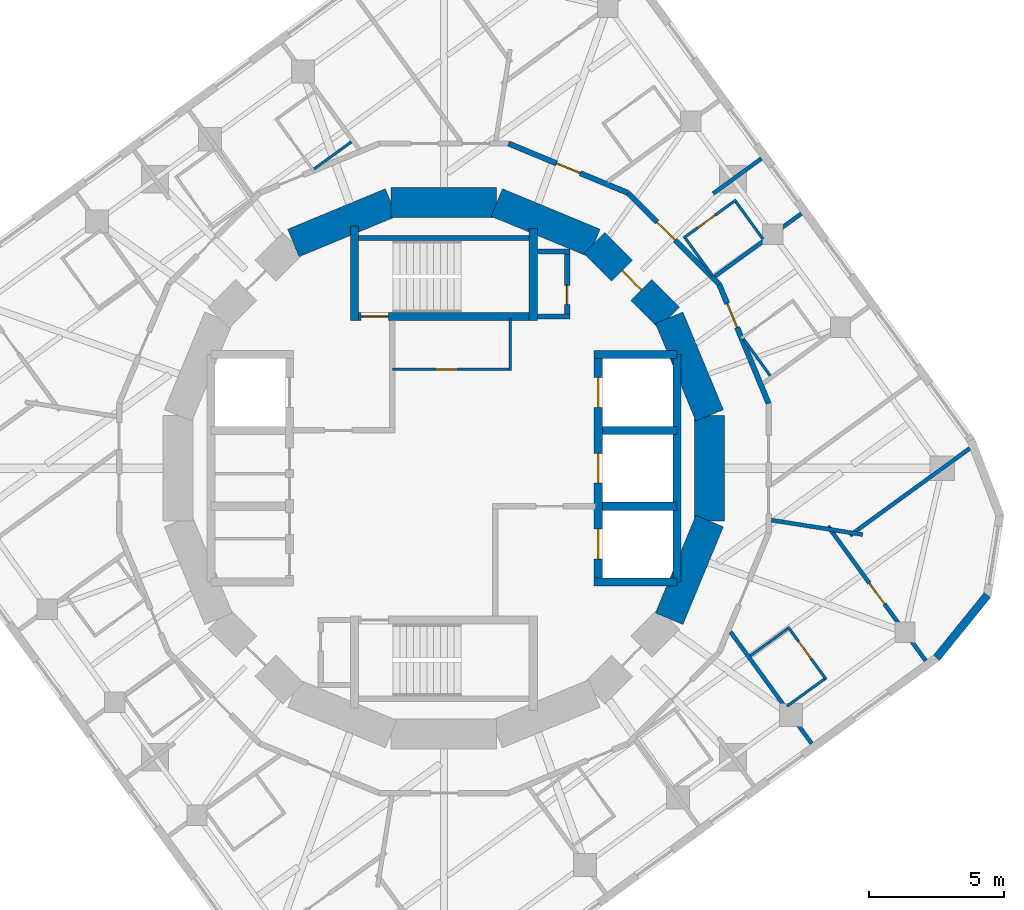
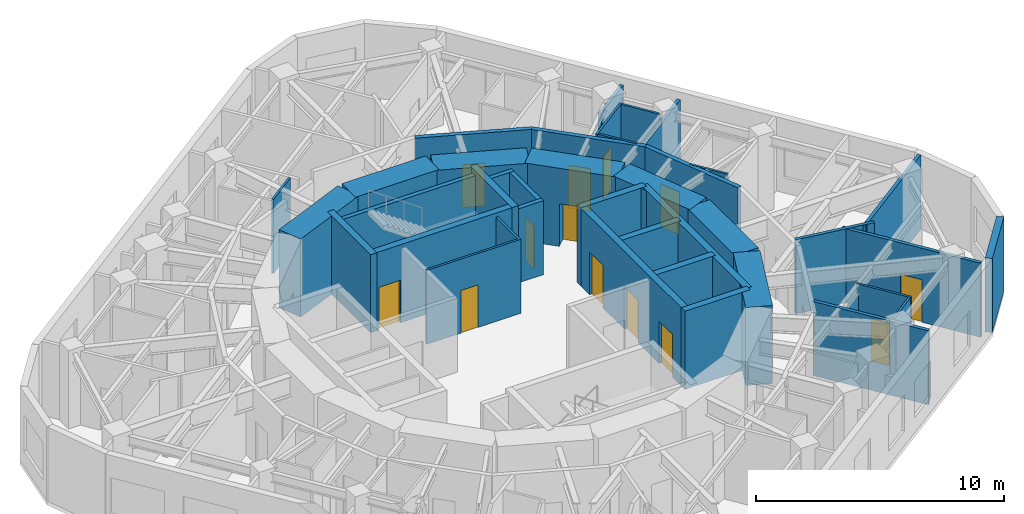
# One storey, part 6 of 9: 40 walls, 13 doors, 13 openings.
"""IFC4 building model written with IfcOpenShell, lengths in metres."""

from ifc_helpers import new_model, si_unit, direction, frame, frame_2d, origin, place, context, subcontext, project, spatial, rectangle, extrude, material, layer, layer_set, type_object, element, fill, save


model = new_model("IFC4")

# Units and contexts
model_context = context("Model", 3, precision=1e-05, world=origin(), true_north=direction((0.0, 1.0)))
body_context = subcontext(model_context, "Body", "Model", "MODEL_VIEW")
ifc_project = project(units=[si_unit("LENGTHUNIT", "METRE"), si_unit("AREAUNIT", "SQUARE_METRE"), si_unit("VOLUMEUNIT", "CUBIC_METRE"), si_unit("PLANEANGLEUNIT", "RADIAN"), si_unit("MASSUNIT", "GRAM", prefix="KILO")], contexts=[model_context])

# Site, building, storey
site_placement = place(None, origin())
site = spatial("IfcSite", under=ifc_project, at=site_placement, CompositionType="ELEMENT")
building_placement = place(site_placement, origin())
building = spatial("IfcBuilding", under=site, at=building_placement, Name="Nakasero Lantern House", CompositionType="ELEMENT")
storey_placement = place(building_placement, frame((0.0, 0.0, 279.14990234375)))
storey = spatial("IfcBuildingStorey", under=building, at=storey_placement, Name="L68", CompositionType="ELEMENT", Elevation=279.14990234375)

# Wall, openings, doors
ifc_material_1 = material(Name="Concrete C50/60", Category="concrete")
ifc_layer_1 = layer(ifc_material_1, 0.300048828125)
ifc_layer_set_1 = layer_set([ifc_layer_1], Name="Core inner wall 300")
wall_type_1 = type_object("IfcWallType", Name="Core inner wall 300", PredefinedType="SHEAR", material=ifc_layer_set_1)
wall_1_placement = place(storey_placement, frame((5.699951171875, -4.199951171875, 0.0), z_axis=(0.0, 0.0, 1.0), x_axis=(0.0, 1.0, 0.0)))
wall_1 = element("IfcWall", 1, at=wall_1_placement, inside=storey, type_object=wall_type_1, Name="Core inner wall L68 LE", PredefinedType="SHEAR", context=body_context, shape_type="SweptSolid", body=[
    extrude(rectangle(XDim=8.39990234375, YDim=0.300048828125, at=frame_2d((4.199951171875, 0.0))), origin(), (0.0, 0.0, 1.0), 3.85009765625),
])
opening_1_placement = place(wall_1_placement, frame((0.85009765625, 0.0, 0.0)))
opening_1 = element("IfcOpeningElement", 2, at=opening_1_placement, cuts=wall_1, Name="Opening LD", PredefinedType="OPENING", context=body_context, shape_type="SweptSolid", body=[
    extrude(rectangle(XDim=1.10009765625, YDim=2.10009765625, at=frame_2d((0.550048828125, 1.050048828125))), frame((0.0, 0.169921875, 0.0), z_axis=(0.0, -1.0, 0.0), x_axis=(1.0, 0.0, 0.0)), (0.0, 0.0, 1.0), 0.340087890625),
])
opening_2_placement = place(wall_1_placement, frame((3.64990234375, 0.0, 0.0)))
opening_2 = element("IfcOpeningElement", 3, at=opening_2_placement, cuts=wall_1, Name="Opening LD", PredefinedType="OPENING", context=body_context, shape_type="SweptSolid", body=[
    extrude(rectangle(XDim=1.10009765625, YDim=2.10009765625, at=frame_2d((0.550048828125, 1.050048828125))), frame((0.0, 0.169921875, 0.0), z_axis=(0.0, -1.0, 0.0), x_axis=(1.0, 0.0, 0.0)), (0.0, 0.0, 1.0), 0.340087890625),
])
opening_3_placement = place(wall_1_placement, frame((6.449951171875, 0.0, 0.0)))
opening_3 = element("IfcOpeningElement", 4, at=opening_3_placement, cuts=wall_1, Name="Opening LD", PredefinedType="OPENING", context=body_context, shape_type="SweptSolid", body=[
    extrude(rectangle(XDim=1.10009765625, YDim=2.10009765625, at=frame_2d((0.550048828125, 1.050048828125))), frame((0.0, 0.169921875, 0.0), z_axis=(0.0, -1.0, 0.0), x_axis=(1.0, 0.0, 0.0)), (0.0, 0.0, 1.0), 0.340087890625),
])
ifc_material_2 = material(Name="Steel S355", Category="steel")
door_type_1 = type_object("IfcDoorType", Name="Lift landing door E120 1100", OperationType="SLIDING_TO_LEFT", PredefinedType="DOOR", material=ifc_material_2)
door_1_placement = place(opening_1_placement, origin())
door_1 = element("IfcDoor", 5, at=door_1_placement, inside=storey, type_object=door_type_1, Name="Lift landing door LE1", OperationType="SLIDING_TO_LEFT", OverallHeight=2.10009765625, OverallWidth=1.10009765625, PredefinedType="DOOR", context=body_context, shape_type="SweptSolid", body=[
    extrude(rectangle(XDim=1.10009765625, YDim=2.10009765625, at=frame_2d((0.550048828125, 1.050048828125))), frame((0.0, 0.02490234375, 0.0), z_axis=(0.0, -1.0, 0.0), x_axis=(1.0, 0.0, 0.0)), (0.0, 0.0, 1.0), 0.050048828125),
])
fill(opening_1, door_1)
door_2_placement = place(opening_2_placement, origin())
door_2 = element("IfcDoor", 6, at=door_2_placement, inside=storey, type_object=door_type_1, Name="Lift landing door LE2", OperationType="SLIDING_TO_LEFT", OverallHeight=2.10009765625, OverallWidth=1.10009765625, PredefinedType="DOOR", context=body_context, shape_type="SweptSolid", body=[
    extrude(rectangle(XDim=1.10009765625, YDim=2.10009765625, at=frame_2d((0.550048828125, 1.050048828125))), frame((0.0, 0.02490234375, 0.0), z_axis=(0.0, -1.0, 0.0), x_axis=(1.0, 0.0, 0.0)), (0.0, 0.0, 1.0), 0.050048828125),
])
fill(opening_2, door_2)
door_3_placement = place(opening_3_placement, origin())
door_3 = element("IfcDoor", 7, at=door_3_placement, inside=storey, type_object=door_type_1, Name="Lift landing door LE3", OperationType="SLIDING_TO_LEFT", OverallHeight=2.10009765625, OverallWidth=1.10009765625, PredefinedType="DOOR", context=body_context, shape_type="SweptSolid", body=[
    extrude(rectangle(XDim=1.10009765625, YDim=2.10009765625, at=frame_2d((0.550048828125, 1.050048828125))), frame((0.0, 0.02490234375, 0.0), z_axis=(0.0, -1.0, 0.0), x_axis=(1.0, 0.0, 0.0)), (0.0, 0.0, 1.0), 0.050048828125),
])
fill(opening_3, door_3)

# Walls
for number, where, z_axis, x_axis, name in (
    (8, (5.550048828125, 4.199951171875, 0.0), (0.0, 0.0, 1.0), (1.0, 0.0, 0.0), "Core inner wall L68 LEN"),
    (9, (5.550048828125, -4.199951171875, 0.0), (0.0, 0.0, 1.0), (1.0, 0.0, 0.0), "Core inner wall L68 LES"),
):
    element("IfcWall", number, at=place(storey_placement, frame(where, z_axis=z_axis, x_axis=x_axis)), inside=storey, type_object=wall_type_1, Name=name, PredefinedType="SHEAR", context=body_context, shape_type="SweptSolid", body=[
        extrude(rectangle(XDim=3.050048828125, YDim=0.300048828125, at=frame_2d((1.52490234375, 0.0))), origin(), (0.0, 0.0, 1.0), 3.85009765625),
    ])
wall_2_placement = place(storey_placement, frame((8.60009765625, -4.199951171875, 0.0), z_axis=(0.0, 0.0, 1.0), x_axis=(0.0, 1.0, 0.0)))
element("IfcWall", 10, at=wall_2_placement, inside=storey, type_object=wall_type_1, Name="Core inner wall L68 LEB", PredefinedType="SHEAR", context=body_context, shape_type="SweptSolid", body=[
    extrude(rectangle(XDim=8.39990234375, YDim=0.300048828125, at=frame_2d((4.199951171875, 0.0))), origin(), (0.0, 0.0, 1.0), 3.85009765625),
])
for number, where, z_axis, x_axis, name in (
    (11, (5.85009765625, -1.39990234375, 0.0), (0.0, 0.0, 1.0), (1.0, 0.0, 0.0), "Core inner wall L68 LE1"),
    (12, (5.85009765625, 1.39990234375, 0.0), (0.0, 0.0, 1.0), (1.0, 0.0, 0.0), "Core inner wall L68 LE2"),
):
    element("IfcWall", number, at=place(storey_placement, frame(where, z_axis=z_axis, x_axis=x_axis)), inside=storey, type_object=wall_type_1, Name=name, PredefinedType="SHEAR", context=body_context, shape_type="SweptSolid", body=[
        extrude(rectangle(XDim=2.75, YDim=0.300048828125, at=frame_2d((1.375, 0.0))), origin(), (0.0, 0.0, 1.0), 3.85009765625),
    ])

# Wall, opening, door
wall_3_placement = place(storey_placement, frame((-3.449951171875, 5.60009765625, 0.0), z_axis=(0.0, 0.0, 1.0), x_axis=(1.0, 0.0, 0.0)))
wall_3 = element("IfcWall", 13, at=wall_3_placement, inside=storey, type_object=wall_type_1, Name="Core inner wall L68 SN", PredefinedType="SHEAR", context=body_context, shape_type="SweptSolid", body=[
    extrude(rectangle(XDim=6.89990234375, YDim=0.300048828125, at=frame_2d((3.449951171875, 0.0))), origin(), (0.0, 0.0, 1.0), 3.85009765625),
])
opening_4_placement = place(wall_3_placement, frame((0.39990234375, 0.0, 0.0)))
opening_4 = element("IfcOpeningElement", 14, at=opening_4_placement, cuts=wall_3, Name="Opening D05", PredefinedType="OPENING", context=body_context, shape_type="SweptSolid", body=[
    extrude(rectangle(XDim=1.0, YDim=2.10009765625, at=frame_2d((0.5, 1.050048828125))), frame((0.0, 0.169921875, 0.0), z_axis=(0.0, -1.0, 0.0), x_axis=(1.0, 0.0, 0.0)), (0.0, 0.0, 1.0), 0.340087890625),
])
ifc_material_3 = material(Name="Timber C24", Category="wood")
door_type_2 = type_object("IfcDoorType", Name="Core door FD60S 1000", OperationType="SINGLE_SWING_LEFT", PredefinedType="DOOR", material=ifc_material_3)
door_4_placement = place(opening_4_placement, origin())
door_4 = element("IfcDoor", 15, at=door_4_placement, inside=storey, type_object=door_type_2, Name="Door L68 D-ST1", OperationType="SINGLE_SWING_LEFT", OverallHeight=2.10009765625, OverallWidth=1.0, PredefinedType="DOOR", context=body_context, shape_type="SweptSolid", body=[
    extrude(rectangle(XDim=1.0, YDim=2.10009765625, at=frame_2d((0.5, 1.050048828125))), frame((0.0, 0.02490234375, 0.0), z_axis=(0.0, -1.0, 0.0), x_axis=(1.0, 0.0, 0.0)), (0.0, 0.0, 1.0), 0.050048828125),
])
fill(opening_4, door_4)

# Walls
wall_4_placement = place(storey_placement, frame((-3.300048828125, 5.449951171875, 0.0), z_axis=(0.0, 0.0, 1.0), x_axis=(0.0, 1.0, 0.0)))
element("IfcWall", 16, at=wall_4_placement, inside=storey, type_object=wall_type_1, Name="Core inner wall L68 SNW", PredefinedType="SHEAR", context=body_context, shape_type="SweptSolid", body=[
    extrude(rectangle(XDim=3.5, YDim=0.300048828125, at=frame_2d((1.75, 0.0))), origin(), (0.0, 0.0, 1.0), 3.85009765625),
])
wall_5_placement = place(storey_placement, frame((3.300048828125, 5.449951171875, 0.0), z_axis=(0.0, 0.0, 1.0), x_axis=(0.0, 1.0, 0.0)))
element("IfcWall", 17, at=wall_5_placement, inside=storey, type_object=wall_type_1, Name="Core inner wall L68 SNE", PredefinedType="SHEAR", context=body_context, shape_type="SweptSolid", body=[
    extrude(rectangle(XDim=3.400146484375, YDim=0.300048828125, at=frame_2d((1.7001953125, 0.0))), origin(), (0.0, 0.0, 1.0), 3.85009765625),
])

# Wall, opening, door
ifc_material_4 = material(Name="Blockwork", Category="masonry")
ifc_layer_2 = layer(ifc_material_4, 0.10009765625)
ifc_layer_set_2 = layer_set([ifc_layer_2], Name="Core room wall 100")
wall_type_2 = type_object("IfcWallType", Name="Core room wall 100", PredefinedType="PARTITIONING", material=ifc_layer_set_2)
wall_6_placement = place(storey_placement, frame((-1.89990234375, 3.64990234375, 0.0), z_axis=(0.0, 0.0, 1.0), x_axis=(1.0, 0.0, 0.0)))
wall_6 = element("IfcWall", 18, at=wall_6_placement, inside=storey, type_object=wall_type_2, Name="Core room wall L68 CR-NES", PredefinedType="PARTITIONING", context=body_context, shape_type="SweptSolid", body=[
    extrude(rectangle(XDim=4.39990234375, YDim=0.10009765625, at=frame_2d((2.199951171875, 0.0))), origin(), (0.0, 0.0, 1.0), 3.650146484375),
])
opening_5_placement = place(wall_6_placement, frame((1.60009765625, 0.0, 0.0)))
opening_5 = element("IfcOpeningElement", 19, at=opening_5_placement, cuts=wall_6, Name="Opening D15", PredefinedType="OPENING", context=body_context, shape_type="SweptSolid", body=[
    extrude(rectangle(XDim=0.800048828125, YDim=2.10009765625, at=frame_2d((0.39990234375, 1.050048828125))), frame((0.0, 0.070068359375, 0.0), z_axis=(0.0, -1.0, 0.0), x_axis=(1.0, 0.0, 0.0)), (0.0, 0.0, 1.0), 0.14013671875),
])
ifc_material_5 = material(Name="Timber C24", Category="wood")
door_type_3 = type_object("IfcDoorType", Name="Cleaner's store door FD30S 800", OperationType="SINGLE_SWING_LEFT", PredefinedType="DOOR", material=ifc_material_5)
door_5_placement = place(opening_5_placement, origin())
door_5 = element("IfcDoor", 20, at=door_5_placement, inside=storey, type_object=door_type_3, Name="Door L68 D-CR-NE", OperationType="SINGLE_SWING_LEFT", OverallHeight=2.10009765625, OverallWidth=0.800048828125, PredefinedType="DOOR", context=body_context, shape_type="SweptSolid", body=[
    extrude(rectangle(XDim=0.800048828125, YDim=2.10009765625, at=frame_2d((0.39990234375, 1.050048828125))), frame((0.0, 0.02490234375, 0.0), z_axis=(0.0, -1.0, 0.0), x_axis=(1.0, 0.0, 0.0)), (0.0, 0.0, 1.0), 0.050048828125),
])
fill(opening_5, door_5)

# Walls
wall_7_placement = place(storey_placement, frame((2.449951171875, 3.60009765625, 0.0), z_axis=(0.0, 0.0, 1.0), x_axis=(0.0, 1.0, 0.0)))
element("IfcWall", 21, at=wall_7_placement, inside=storey, type_object=wall_type_2, Name="Core room wall L68 CR-NEE", PredefinedType="PARTITIONING", context=body_context, shape_type="SweptSolid", body=[
    extrude(rectangle(XDim=1.949951171875, YDim=0.10009765625, at=frame_2d((0.97509765625, 0.0))), origin(), (0.0, 0.0, 1.0), 3.650146484375),
])
ifc_material_6 = material(Name="Concrete C50/60", Category="concrete")
ifc_layer_3 = layer(ifc_material_6, 1.10009765625)
ifc_layer_set_3 = layer_set([ifc_layer_3], Name="Core wall 1100")
wall_type_3 = type_object("IfcWallType", Name="Core wall 1100", PredefinedType="SHEAR", material=ifc_layer_set_3)
wall_8_placement = place(storey_placement, frame((9.807861328125, 1.950927734375, 0.0), z_axis=(0.0, 0.0, 1.0), x_axis=(-0.382690736062, 0.923876507187, 0.0)))
element("IfcWall", 22, at=wall_8_placement, inside=storey, type_object=wall_type_3, Name="Core wall L68 facet 1", PredefinedType="SHEAR", context=body_context, shape_type="SweptSolid", body=[
    extrude(rectangle(XDim=3.90185546875, YDim=1.10009765625, at=frame_2d((1.950927734375, 0.0))), origin(), (0.0, 0.0, 1.0), 3.85009765625),
])

# Wall, opening, door
wall_9_placement = place(storey_placement, frame((8.314697265625, 5.5556640625, 0.0), z_axis=(0.0, 0.0, 1.0), x_axis=(-0.707106781187, 0.707106781187, 0.0)))
wall_9 = element("IfcWall", 23, at=wall_9_placement, inside=storey, type_object=wall_type_3, Name="Core wall L68 facet 2", PredefinedType="SHEAR", context=body_context, shape_type="SweptSolid", body=[
    extrude(rectangle(XDim=3.90185546875, YDim=1.10009765625, at=frame_2d((1.950927734375, 0.0))), origin(), (0.0, 0.0, 1.0), 3.85009765625),
])
opening_6_placement = place(wall_9_placement, frame((1.450927734375, 0.0, 0.0)))
opening_6 = element("IfcOpeningElement", 24, at=opening_6_placement, cuts=wall_9, Name="Opening D05", PredefinedType="OPENING", context=body_context, shape_type="SweptSolid", body=[
    extrude(rectangle(XDim=1.0, YDim=2.10009765625, at=frame_2d((0.5, 1.050048828125))), frame((0.0, 0.570068359375, 0.0), z_axis=(0.0, -1.0, 0.0), x_axis=(1.0, 0.0, 0.0)), (0.0, 0.0, 1.0), 1.14013671875),
])
door_6_placement = place(opening_6_placement, origin())
door_6 = element("IfcDoor", 25, at=door_6_placement, inside=storey, type_object=door_type_2, Name="Door L68 D-CORE02", OperationType="SINGLE_SWING_LEFT", OverallHeight=2.10009765625, OverallWidth=1.0, PredefinedType="DOOR", context=body_context, shape_type="SweptSolid", body=[
    extrude(rectangle(XDim=1.0, YDim=2.10009765625, at=frame_2d((0.5, 1.050048828125))), frame((0.0, 0.02490234375, 0.0), z_axis=(0.0, -1.0, 0.0), x_axis=(1.0, 0.0, 0.0)), (0.0, 0.0, 1.0), 0.050048828125),
])
fill(opening_6, door_6)

# Walls
for number, where, z_axis, x_axis, name in (
    (26, (5.5556640625, 8.314697265625, 0.0), (0.0, 0.0, 1.0), (-0.923876507187, 0.382690736062, 0.0), "Core wall L68 facet 3"),
    (27, (1.950927734375, 9.807861328125, 0.0), (0.0, 0.0, 1.0), (-1.0, 0.0, 0.0), "Core wall L68 facet 4"),
    (28, (-1.950927734375, 9.807861328125, 0.0), (0.0, 0.0, 1.0), (-0.923876507187, -0.382690736062, 0.0), "Core wall L68 facet 5"),
    (29, (8.314697265625, -5.5556640625, 0.0), (0.0, 0.0, 1.0), (0.382690736062, 0.923876507187, 0.0), "Core wall L68 facet 15"),
    (30, (9.807861328125, -1.950927734375, 0.0), (0.0, 0.0, 1.0), (0.0, 1.0, 0.0), "Core wall L68 facet 16"),
):
    element("IfcWall", number, at=place(storey_placement, frame(where, z_axis=z_axis, x_axis=x_axis)), inside=storey, type_object=wall_type_3, Name=name, PredefinedType="SHEAR", context=body_context, shape_type="SweptSolid", body=[
        extrude(rectangle(XDim=3.90185546875, YDim=1.10009765625, at=frame_2d((1.950927734375, 0.0))), origin(), (0.0, 0.0, 1.0), 3.85009765625),
    ])

# Wall, opening, door
ifc_material_7 = material(Name="Blockwork", Category="masonry")
ifc_layer_4 = layer(ifc_material_7, 0.199951171875)
ifc_layer_set_4 = layer_set([ifc_layer_4], Name="Corridor wall 200")
wall_type_4 = type_object("IfcWallType", Name="Corridor wall 200", PredefinedType="PARTITIONING", material=ifc_layer_set_4)
wall_10_placement = place(storey_placement, frame((2.384521484375, 11.98779296875, 0.0), z_axis=(0.0, 0.0, 1.0), x_axis=(0.923885182372, -0.382669792111, 0.0)))
wall_10 = element("IfcWall", 31, at=wall_10_placement, inside=storey, type_object=wall_type_4, Name="Corridor wall L68 RC13a", PredefinedType="PARTITIONING", context=body_context, shape_type="SweptSolid", body=[
    extrude(rectangle(XDim=4.76904296875, YDim=0.199951171875, at=frame_2d((2.384521484375, 0.0))), origin(), (0.0, 0.0, 1.0), 3.650146484375),
])
opening_7_placement = place(wall_10_placement, frame((1.919921875, 0.0, 0.0)))
opening_7 = element("IfcOpeningElement", 32, at=opening_7_placement, cuts=wall_10, Name="Opening D01", PredefinedType="OPENING", context=body_context, shape_type="SweptSolid", body=[
    extrude(rectangle(XDim=0.949951171875, YDim=2.10009765625, at=frame_2d((0.47509765625, 1.050048828125))), frame((0.0, 0.119873046875, 0.0), z_axis=(0.0, -1.0, 0.0), x_axis=(1.0, 0.0, 0.0)), (0.0, 0.0, 1.0), 0.239990234375),
])
ifc_material_8 = material(Name="Timber C24", Category="wood")
door_type_4 = type_object("IfcDoorType", Name="Bedroom door FD30S 950", OperationType="SINGLE_SWING_LEFT", PredefinedType="DOOR", material=ifc_material_8)
door_7_placement = place(opening_7_placement, origin())
door_7 = element("IfcDoor", 33, at=door_7_placement, inside=storey, type_object=door_type_4, Name="Door L68 D0-06", OperationType="SINGLE_SWING_RIGHT", OverallHeight=2.10009765625, OverallWidth=0.949951171875, PredefinedType="DOOR", context=body_context, shape_type="SweptSolid", body=[
    extrude(rectangle(XDim=0.949951171875, YDim=2.10009765625, at=frame_2d((0.47509765625, 1.050048828125))), frame((0.0, 0.02490234375, 0.0), z_axis=(0.0, -1.0, 0.0), x_axis=(1.0, 0.0, 0.0)), (0.0, 0.0, 1.0), 0.050048828125),
])
fill(opening_7, door_7)

wall_11_placement = place(storey_placement, frame((6.79052734375, 10.162841796875, 0.0), z_axis=(0.0, 0.0, 1.0), x_axis=(0.707106781187, -0.707106781187, 0.0)))
wall_11 = element("IfcWall", 34, at=wall_11_placement, inside=storey, type_object=wall_type_4, Name="Corridor wall L68 RC14a", PredefinedType="PARTITIONING", context=body_context, shape_type="SweptSolid", body=[
    extrude(rectangle(XDim=4.769287109375, YDim=0.199951171875, at=frame_2d((2.384765625, 0.0))), origin(), (0.0, 0.0, 1.0), 3.650146484375),
])
opening_8_placement = place(wall_11_placement, frame((1.52001953125, 0.0, 0.0)))
opening_8 = element("IfcOpeningElement", 35, at=opening_8_placement, cuts=wall_11, Name="Opening D01", PredefinedType="OPENING", context=body_context, shape_type="SweptSolid", body=[
    extrude(rectangle(XDim=0.949951171875, YDim=2.10009765625, at=frame_2d((0.47509765625, 1.050048828125))), frame((0.0, 0.119873046875, 0.0), z_axis=(0.0, -1.0, 0.0), x_axis=(1.0, 0.0, 0.0)), (0.0, 0.0, 1.0), 0.239990234375),
])
door_8_placement = place(opening_8_placement, origin())
door_8 = element("IfcDoor", 36, at=door_8_placement, inside=storey, type_object=door_type_4, Name="Door L68 D0-04", OperationType="SINGLE_SWING_LEFT", OverallHeight=2.10009765625, OverallWidth=0.949951171875, PredefinedType="DOOR", context=body_context, shape_type="SweptSolid", body=[
    extrude(rectangle(XDim=0.949951171875, YDim=2.10009765625, at=frame_2d((0.47509765625, 1.050048828125))), frame((0.0, 0.02490234375, 0.0), z_axis=(0.0, -1.0, 0.0), x_axis=(1.0, 0.0, 0.0)), (0.0, 0.0, 1.0), 0.050048828125),
])
fill(opening_8, door_8)

wall_12_placement = place(storey_placement, frame((10.162841796875, 6.79052734375, 0.0), z_axis=(0.0, 0.0, 1.0), x_axis=(0.382669792111, -0.923885182372, 0.0)))
wall_12 = element("IfcWall", 37, at=wall_12_placement, inside=storey, type_object=wall_type_4, Name="Corridor wall L68 RC15a", PredefinedType="PARTITIONING", context=body_context, shape_type="SweptSolid", body=[
    extrude(rectangle(XDim=4.76904296875, YDim=0.199951171875, at=frame_2d((2.384521484375, 0.0))), origin(), (0.0, 0.0, 1.0), 3.650146484375),
])
opening_9_placement = place(wall_12_placement, frame((0.77001953125, 0.0, 0.0)))
opening_9 = element("IfcOpeningElement", 38, at=opening_9_placement, cuts=wall_12, Name="Opening D01", PredefinedType="OPENING", context=body_context, shape_type="SweptSolid", body=[
    extrude(rectangle(XDim=0.949951171875, YDim=2.10009765625, at=frame_2d((0.47509765625, 1.050048828125))), frame((0.0, 0.119873046875, 0.0), z_axis=(0.0, -1.0, 0.0), x_axis=(1.0, 0.0, 0.0)), (0.0, 0.0, 1.0), 0.239990234375),
])
door_9_placement = place(opening_9_placement, origin())
door_9 = element("IfcDoor", 39, at=door_9_placement, inside=storey, type_object=door_type_4, Name="Door L68 D0-03", OperationType="SINGLE_SWING_LEFT", OverallHeight=2.10009765625, OverallWidth=0.949951171875, PredefinedType="DOOR", context=body_context, shape_type="SweptSolid", body=[
    extrude(rectangle(XDim=0.949951171875, YDim=2.10009765625, at=frame_2d((0.47509765625, 1.050048828125))), frame((0.0, 0.02490234375, 0.0), z_axis=(0.0, -1.0, 0.0), x_axis=(1.0, 0.0, 0.0)), (0.0, 0.0, 1.0), 0.050048828125),
])
fill(opening_9, door_9)

# Wall
ifc_material_9 = material(Name="Blockwork", Category="masonry")
ifc_layer_5 = layer(ifc_material_9, 0.10009765625)
ifc_layer_set_5 = layer_set([ifc_layer_5], Name="En-suite wall 100")
wall_type_5 = type_object("IfcWallType", Name="En-suite wall 100", PredefinedType="PARTITIONING", material=ifc_layer_set_5)
wall_13_placement = place(storey_placement, frame((12.046142578125, 3.414794921875, 0.0), z_axis=(0.0, 0.0, 1.0), x_axis=(-0.587659235066, 0.809108536256, 0.0)))
element("IfcWall", 40, at=wall_13_placement, inside=storey, type_object=wall_type_5, Name="En-suite wall L68 EI0-03", PredefinedType="PARTITIONING", context=body_context, shape_type="SweptSolid", body=[
    extrude(rectangle(XDim=1.699951171875, YDim=0.10009765625, at=frame_2d((0.85009765625, 0.0))), origin(), (0.0, 0.0, 1.0), 3.650146484375),
])

# Wall, opening, door
wall_14_placement = place(storey_placement, frame((8.846435546875, 8.495849609375, 0.0), z_axis=(0.0, 0.0, 1.0), x_axis=(0.809026317077, 0.587772420479, 0.0)))
wall_14 = element("IfcWall", 41, at=wall_14_placement, inside=storey, type_object=wall_type_5, Name="En-suite wall L68 ES0-04", PredefinedType="PARTITIONING", context=body_context, shape_type="SweptSolid", body=[
    extrude(rectangle(XDim=2.39990234375, YDim=0.10009765625, at=frame_2d((1.199951171875, 0.0))), origin(), (0.0, 0.0, 1.0), 3.650146484375),
])
opening_10_placement = place(wall_14_placement, frame((0.64990234375, 0.0, 0.0)))
opening_10 = element("IfcOpeningElement", 42, at=opening_10_placement, cuts=wall_14, Name="Opening D02", PredefinedType="OPENING", context=body_context, shape_type="SweptSolid", body=[
    extrude(rectangle(XDim=0.800048828125, YDim=2.10009765625, at=frame_2d((0.39990234375, 1.050048828125))), frame((0.0, 0.070068359375, 0.0), z_axis=(0.0, -1.0, 0.0), x_axis=(1.0, 0.0, 0.0)), (0.0, 0.0, 1.0), 0.14013671875),
])
ifc_material_10 = material(Name="Timber C24", Category="wood")
door_type_5 = type_object("IfcDoorType", Name="En-suite door 800", OperationType="SINGLE_SWING_RIGHT", PredefinedType="DOOR", material=ifc_material_10)
door_10_placement = place(opening_10_placement, origin())
door_10 = element("IfcDoor", 43, at=door_10_placement, inside=storey, type_object=door_type_5, Name="Door L68 DE0-04", OperationType="SINGLE_SWING_LEFT", OverallHeight=2.10009765625, OverallWidth=0.800048828125, PredefinedType="DOOR", context=body_context, shape_type="SweptSolid", body=[
    extrude(rectangle(XDim=0.800048828125, YDim=2.10009765625, at=frame_2d((0.39990234375, 1.050048828125))), frame((0.0, 0.02490234375, 0.0), z_axis=(0.0, -1.0, 0.0), x_axis=(1.0, 0.0, 0.0)), (0.0, 0.0, 1.0), 0.050048828125),
])
fill(opening_10, door_10)

# Walls
wall_15_placement = place(storey_placement, frame((11.7763671875, 8.461181640625, 0.0), z_axis=(0.0, 0.0, 1.0), x_axis=(-0.58775323954, 0.809040252033, 0.0)))
element("IfcWall", 44, at=wall_15_placement, inside=storey, type_object=wall_type_5, Name="En-suite wall L68 EE0-04", PredefinedType="PARTITIONING", context=body_context, shape_type="SweptSolid", body=[
    extrude(rectangle(XDim=1.7001953125, YDim=0.10009765625, at=frame_2d((0.85009765625, 0.0))), origin(), (0.0, 0.0, 1.0), 3.650146484375),
])
for number, where, z_axis, x_axis, name in (
    (45, (9.91552734375, 7.109375, 0.0), (0.0, 0.0, 1.0), (-0.587821529301, 0.808990636343, 0.0), "En-suite wall L68 EI0-04"),
    (46, (-3.414794921875, 12.046142578125, 0.0), (0.0, 0.0, 1.0), (-0.809108536256, -0.587659235066, 0.0), "En-suite wall L68 EI1-03"),
):
    element("IfcWall", number, at=place(storey_placement, frame(where, z_axis=z_axis, x_axis=x_axis)), inside=storey, type_object=wall_type_5, Name=name, PredefinedType="PARTITIONING", context=body_context, shape_type="SweptSolid", body=[
        extrude(rectangle(XDim=1.699951171875, YDim=0.10009765625, at=frame_2d((0.85009765625, 0.0))), origin(), (0.0, 0.0, 1.0), 3.650146484375),
    ])

# Wall, opening, door
wall_16_placement = place(storey_placement, frame((12.7001953125, -5.852783203125, 0.0), z_axis=(0.0, 0.0, 1.0), x_axis=(0.587772420479, -0.809026317077, 0.0)))
wall_16 = element("IfcWall", 47, at=wall_16_placement, inside=storey, type_object=wall_type_5, Name="En-suite wall L68 ES3-06", PredefinedType="PARTITIONING", context=body_context, shape_type="SweptSolid", body=[
    extrude(rectangle(XDim=2.39990234375, YDim=0.10009765625, at=frame_2d((1.199951171875, 0.0))), origin(), (0.0, 0.0, 1.0), 3.650146484375),
])
opening_11_placement = place(wall_16_placement, frame((0.64990234375, 0.0, 0.0)))
opening_11 = element("IfcOpeningElement", 48, at=opening_11_placement, cuts=wall_16, Name="Opening D02", PredefinedType="OPENING", context=body_context, shape_type="SweptSolid", body=[
    extrude(rectangle(XDim=0.800048828125, YDim=2.10009765625, at=frame_2d((0.39990234375, 1.050048828125))), frame((0.0, 0.070068359375, 0.0), z_axis=(0.0, -1.0, 0.0), x_axis=(1.0, 0.0, 0.0)), (0.0, 0.0, 1.0), 0.14013671875),
])
door_11_placement = place(opening_11_placement, origin())
door_11 = element("IfcDoor", 49, at=door_11_placement, inside=storey, type_object=door_type_5, Name="Door L68 DE3-06", OperationType="SINGLE_SWING_LEFT", OverallHeight=2.10009765625, OverallWidth=0.800048828125, PredefinedType="DOOR", context=body_context, shape_type="SweptSolid", body=[
    extrude(rectangle(XDim=0.800048828125, YDim=2.10009765625, at=frame_2d((0.39990234375, 1.050048828125))), frame((0.0, 0.02490234375, 0.0), z_axis=(0.0, -1.0, 0.0), x_axis=(1.0, 0.0, 0.0)), (0.0, 0.0, 1.0), 0.050048828125),
])
fill(opening_11, door_11)

# Walls
wall_17_placement = place(storey_placement, frame((12.665771484375, -8.78271484375, 0.0), z_axis=(0.0, 0.0, 1.0), x_axis=(0.808990636343, 0.587821529301, 0.0)))
element("IfcWall", 50, at=wall_17_placement, inside=storey, type_object=wall_type_5, Name="En-suite wall L68 EE3-06", PredefinedType="PARTITIONING", context=body_context, shape_type="SweptSolid", body=[
    extrude(rectangle(XDim=1.699951171875, YDim=0.10009765625, at=frame_2d((0.85009765625, 0.0))), origin(), (0.0, 0.0, 1.0), 3.650146484375),
])
wall_18_placement = place(storey_placement, frame((11.313720703125, -6.921875, 0.0), z_axis=(0.0, 0.0, 1.0), x_axis=(0.809040252033, 0.58775323954, 0.0)))
element("IfcWall", 51, at=wall_18_placement, inside=storey, type_object=wall_type_5, Name="En-suite wall L68 EI3-06", PredefinedType="PARTITIONING", context=body_context, shape_type="SweptSolid", body=[
    extrude(rectangle(XDim=1.7001953125, YDim=0.10009765625, at=frame_2d((0.85009765625, 0.0))), origin(), (0.0, 0.0, 1.0), 3.190185546875),
])
ifc_material_11 = material(Name="Aluminium rainscreen on blockwork", Category="masonry")
ifc_layer_6 = layer(ifc_material_11, 0.300048828125)
ifc_layer_set_6 = layer_set([ifc_layer_6], Name="Facade wall 300")
wall_type_6 = type_object("IfcWallType", Name="Facade wall 300", PredefinedType="SOLIDWALL", material=ifc_layer_set_6)
wall_19_placement = place(storey_placement, frame((18.185791015625, -6.996826171875, 0.0), z_axis=(0.0, 0.0, 1.0), x_axis=(0.629375183362, 0.777101588319, 0.0)))
element("IfcWall", 52, at=wall_19_placement, inside=storey, type_object=wall_type_6, Name="Facade wall L68 FW3C1", PredefinedType="SOLIDWALL", context=body_context, shape_type="SweptSolid", body=[
    extrude(rectangle(XDim=2.976318359375, YDim=0.300048828125, at=frame_2d((1.48828125, 0.0))), origin(), (0.0, 0.0, 1.0), 3.650146484375),
])

# Wall, opening, door
ifc_material_12 = material(Name="Blockwork", Category="masonry")
ifc_layer_7 = layer(ifc_material_12, 0.199951171875)
ifc_layer_set_7 = layer_set([ifc_layer_7], Name="Fire lobby wall 200")
wall_type_7 = type_object("IfcWallType", Name="Fire lobby wall 200", PredefinedType="PARTITIONING", material=ifc_layer_set_7)
wall_20_placement = place(storey_placement, frame((4.550048828125, 5.60009765625, 0.0), z_axis=(0.0, 0.0, 1.0), x_axis=(0.0, 1.0, 0.0)))
wall_20 = element("IfcWall", 53, at=wall_20_placement, inside=storey, type_object=wall_type_7, Name="Fire lobby wall L68 W-RS1E", PredefinedType="PARTITIONING", context=body_context, shape_type="SweptSolid", body=[
    extrude(rectangle(XDim=2.39990234375, YDim=0.199951171875, at=frame_2d((1.199951171875, 0.0))), origin(), (0.0, 0.0, 1.0), 3.650146484375),
])
opening_12_placement = place(wall_20_placement, frame((0.449951171875, 0.0, 0.0)))
opening_12 = element("IfcOpeningElement", 54, at=opening_12_placement, cuts=wall_20, Name="Opening D06", PredefinedType="OPENING", context=body_context, shape_type="SweptSolid", body=[
    extrude(rectangle(XDim=0.699951171875, YDim=2.10009765625, at=frame_2d((0.35009765625, 1.050048828125))), frame((0.0, 0.119873046875, 0.0), z_axis=(0.0, -1.0, 0.0), x_axis=(1.0, 0.0, 0.0)), (0.0, 0.0, 1.0), 0.239990234375),
])
ifc_material_13 = material(Name="Steel S355", Category="steel")
door_type_6 = type_object("IfcDoorType", Name="Riser door FD60 700", OperationType="SINGLE_SWING_LEFT", PredefinedType="DOOR", material=ifc_material_13)
door_12_placement = place(opening_12_placement, origin())
door_12 = element("IfcDoor", 55, at=door_12_placement, inside=storey, type_object=door_type_6, Name="Door L68 D-RS1", OperationType="SINGLE_SWING_LEFT", OverallHeight=2.10009765625, OverallWidth=0.699951171875, PredefinedType="DOOR", context=body_context, shape_type="SweptSolid", body=[
    extrude(rectangle(XDim=0.699951171875, YDim=2.10009765625, at=frame_2d((0.35009765625, 1.050048828125))), frame((0.0, 0.02490234375, 0.0), z_axis=(0.0, -1.0, 0.0), x_axis=(1.0, 0.0, 0.0)), (0.0, 0.0, 1.0), 0.050048828125),
])
fill(opening_12, door_12)

# Walls
for number, where, z_axis, x_axis, name in (
    (56, (3.449951171875, 8.0, 0.0), (0.0, 0.0, 1.0), (1.0, 0.0, 0.0), "Fire lobby wall L68 W-RS1N"),
    (57, (3.449951171875, 5.60009765625, 0.0), (0.0, 0.0, 1.0), (1.0, 0.0, 0.0), "Fire lobby wall L68 W-RS1S"),
):
    element("IfcWall", number, at=place(storey_placement, frame(where, z_axis=z_axis, x_axis=x_axis)), inside=storey, type_object=wall_type_7, Name=name, PredefinedType="PARTITIONING", context=body_context, shape_type="SweptSolid", body=[
        extrude(rectangle(XDim=1.199951171875, YDim=0.199951171875, at=frame_2d((0.60009765625, 0.0))), origin(), (0.0, 0.0, 1.0), 3.650146484375),
    ])
wall_21_placement = place(storey_placement, frame((-3.300048828125, 8.5, 0.0), z_axis=(0.0, 0.0, 1.0), x_axis=(1.0, 0.0, 0.0)))
element("IfcWall", 58, at=wall_21_placement, inside=storey, type_object=wall_type_7, Name="Fire lobby wall L68 W-STN", PredefinedType="PARTITIONING", context=body_context, shape_type="SweptSolid", body=[
    extrude(rectangle(XDim=6.60009765625, YDim=0.199951171875, at=frame_2d((3.300048828125, 0.0))), origin(), (0.0, 0.0, 1.0), 3.650146484375),
])
ifc_material_14 = material(Name="Blockwork", Category="masonry")
ifc_layer_8 = layer(ifc_material_14, 0.14990234375)
ifc_layer_set_8 = layer_set([ifc_layer_8], Name="Party wall 150")
wall_type_8 = type_object("IfcWallType", Name="Party wall 150", PredefinedType="PARTITIONING", material=ifc_layer_set_8)
wall_22_placement = place(storey_placement, frame((9.939208984375, 10.13818359375, 0.0), z_axis=(0.0, 0.0, 1.0), x_axis=(0.808990345923, 0.587821928992, 0.0)))
element("IfcWall", 59, at=wall_22_placement, inside=storey, type_object=wall_type_8, Name="Party wall L68 PN0-05", PredefinedType="PARTITIONING", context=body_context, shape_type="SweptSolid", body=[
    extrude(rectangle(XDim=2.199951171875, YDim=0.14990234375, at=frame_2d((1.10009765625, 0.0))), origin(), (0.0, 0.0, 1.0), 3.295166015625),
])
wall_23_placement = place(storey_placement, frame((14.9853515625, -2.48095703125, 0.0), z_axis=(0.0, 0.0, 1.0), x_axis=(0.809023745549, 0.587775959987, 0.0)))
element("IfcWall", 60, at=wall_23_placement, inside=storey, type_object=wall_type_8, Name="Party wall L68 PW0-01", PredefinedType="PARTITIONING", context=body_context, shape_type="SweptSolid", body=[
    extrude(rectangle(XDim=5.466552734375, YDim=0.14990234375, at=frame_2d((2.7333984375, 0.0))), origin(), (0.0, 0.0, 1.0), 3.650146484375),
])
wall_24_placement = place(storey_placement, frame((10.009765625, 7.085205078125, 0.0), z_axis=(0.0, 0.0, 1.0), x_axis=(0.809022902379, 0.587777120537, 0.0)))
element("IfcWall", 61, at=wall_24_placement, inside=storey, type_object=wall_type_8, Name="Party wall L68 PW0-04", PredefinedType="PARTITIONING", context=body_context, shape_type="SweptSolid", body=[
    extrude(rectangle(XDim=3.937255859375, YDim=0.14990234375, at=frame_2d((1.96875, 0.0))), origin(), (0.0, 0.0, 1.0), 3.295166015625),
])
wall_25_placement = place(storey_placement, frame((10.581298828125, -6.04150390625, 0.0), z_axis=(0.0, 0.0, 1.0), x_axis=(0.587812495358, -0.808997200429, 0.0)))
element("IfcWall", 62, at=wall_25_placement, inside=storey, type_object=wall_type_8, Name="Party wall L68 PW3-06", PredefinedType="PARTITIONING", context=body_context, shape_type="SweptSolid", body=[
    extrude(rectangle(XDim=5.0927734375, YDim=0.14990234375, at=frame_2d((2.54638671875, 0.0))), origin(), (0.0, 0.0, 1.0), 3.650146484375),
])

# Wall, opening, door
wall_26_placement = place(storey_placement, frame((14.1767578125, -2.137939453125, 0.0), z_axis=(0.0, 0.0, 1.0), x_axis=(0.587774266883, -0.809024975628, 0.0)))
wall_26 = element("IfcWall", 63, at=wall_26_placement, inside=storey, type_object=wall_type_8, Name="Party wall L68 PW3-07", PredefinedType="PARTITIONING", context=body_context, shape_type="SweptSolid", body=[
    extrude(rectangle(XDim=6.137451171875, YDim=0.14990234375, at=frame_2d((3.06884765625, 0.0))), origin(), (0.0, 0.0, 1.0), 3.650146484375),
])
opening_13_placement = place(wall_26_placement, frame((2.60009765625, 0.0, 0.0)))
opening_13 = element("IfcOpeningElement", 64, at=opening_13_placement, cuts=wall_26, Name="Opening D01", PredefinedType="OPENING", context=body_context, shape_type="SweptSolid", body=[
    extrude(rectangle(XDim=0.949951171875, YDim=2.10009765625, at=frame_2d((0.47509765625, 1.050048828125))), frame((0.0, 0.094970703125, 0.0), z_axis=(0.0, -1.0, 0.0), x_axis=(1.0, 0.0, 0.0)), (0.0, 0.0, 1.0), 0.18994140625),
])
door_13_placement = place(opening_13_placement, origin())
door_13 = element("IfcDoor", 65, at=door_13_placement, inside=storey, type_object=door_type_4, Name="Door L68 DC3", OperationType="SINGLE_SWING_RIGHT", OverallHeight=2.10009765625, OverallWidth=0.949951171875, PredefinedType="DOOR", context=body_context, shape_type="SweptSolid", body=[
    extrude(rectangle(XDim=0.949951171875, YDim=2.10009765625, at=frame_2d((0.47509765625, 1.050048828125))), frame((0.0, 0.02490234375, 0.0), z_axis=(0.0, -1.0, 0.0), x_axis=(1.0, 0.0, 0.0)), (0.0, 0.0, 1.0), 0.050048828125),
])
fill(opening_13, door_13)

# Wall
wall_27_placement = place(storey_placement, frame((12.087890625, -1.91455078125, 0.0), z_axis=(0.0, 0.0, 1.0), x_axis=(0.98768913413, -0.156429454775, 0.0)))
element("IfcWall", 66, at=wall_27_placement, inside=storey, type_object=wall_type_8, Name="Party wall L68 PD3", PredefinedType="PARTITIONING", context=body_context, shape_type="SweptSolid", body=[
    extrude(rectangle(XDim=3.41015625, YDim=0.14990234375, at=frame_2d((1.705078125, 0.0))), origin(), (0.0, 0.0, 1.0), 3.650146484375),
])

save(model, "model.ifc")
